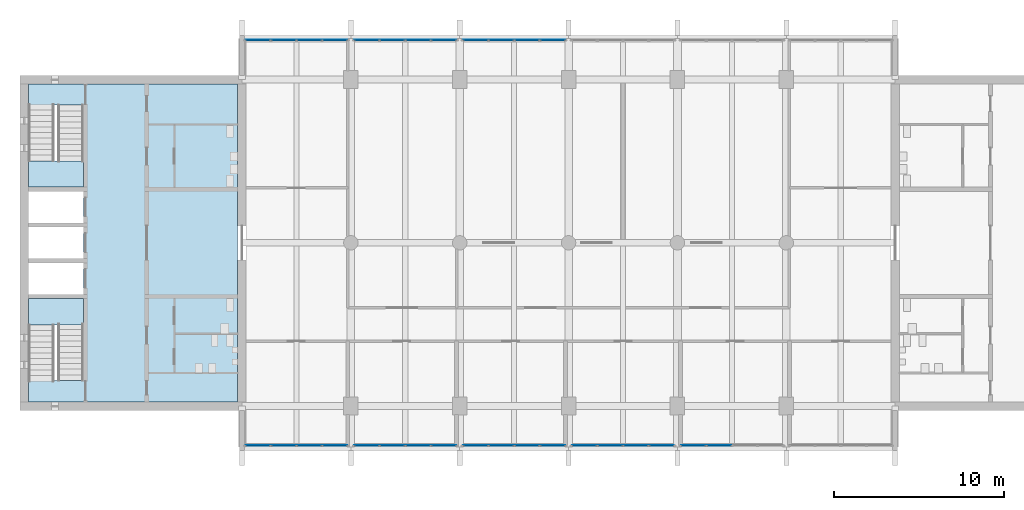
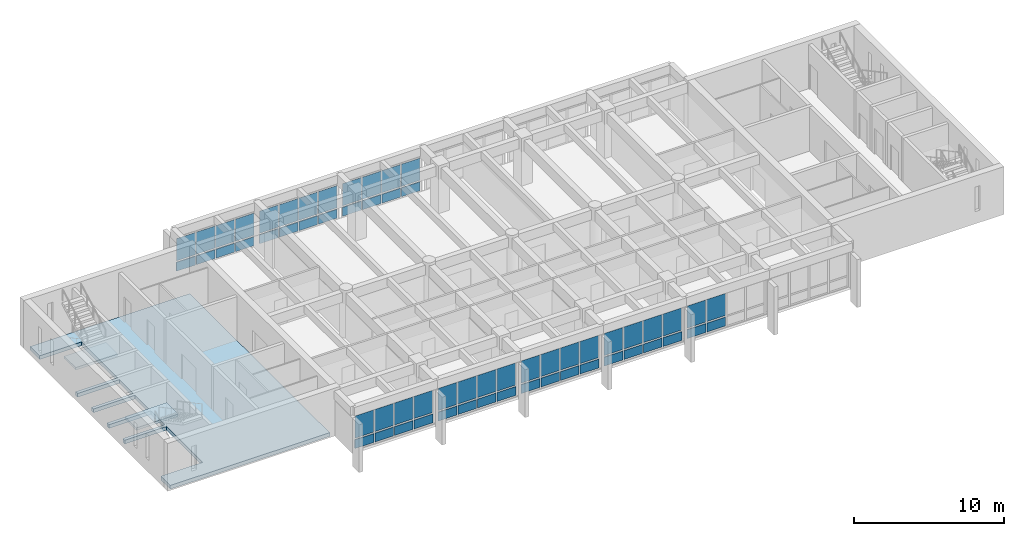
# One storey, part 7 of 15: 60 plates, 3 slabs, 10 elements without a shape of their own.
"""IFC4 building model written with IfcOpenShell, lengths in metres."""

from ifc_helpers import new_model, si_unit, direction, frame, origin, origin_2d, place, context, subcontext, project, spatial, polyline, rectangle, outline, extrude, material, layer, layer_set, type_object, element, aggregate, save


model = new_model("IFC4")

# Units and contexts
model_context = context("Model", 3, precision=1e-05, world=origin(), true_north=direction((0.0, 1.0)))
body_context = subcontext(model_context, "Body", "Model", "MODEL_VIEW")
ifc_project = project(units=[si_unit("LENGTHUNIT", "METRE"), si_unit("AREAUNIT", "SQUARE_METRE"), si_unit("VOLUMEUNIT", "CUBIC_METRE"), si_unit("PLANEANGLEUNIT", "RADIAN"), si_unit("MASSUNIT", "GRAM", prefix="KILO")], contexts=[model_context])

# Site, building, storey
site_placement = place(None, origin())
site = spatial("IfcSite", under=ifc_project, at=site_placement, CompositionType="ELEMENT")
building_placement = place(site_placement, origin())
building = spatial("IfcBuilding", under=site, at=building_placement, Name="Fogon Plaza Fire Station and Headquarters Tower", CompositionType="ELEMENT")
storey_placement = place(building_placement, frame((0.0, 0.0, 56.10009765625)))
storey = spatial("IfcBuildingStorey", under=building, at=storey_placement, Name="L14", CompositionType="ELEMENT", Elevation=56.10009765625)

# Slab
ifc_material_1 = material(Name="Concrete C40", Category="concrete")
ifc_layer_1 = layer(ifc_material_1, 0.300048828125)
ifc_layer_set_1 = layer_set([ifc_layer_1], Name="Concrete C40")
slab_type_1 = type_object("IfcSlabType", Name="Core Floor Slab RC 300", PredefinedType="FLOOR", material=ifc_layer_set_1)
slab_1_placement = place(storey_placement, frame((0.0, 0.0, -0.300048828125)))
element("IfcSlab", 1, at=slab_1_placement, inside=storey, type_object=slab_type_1, Name="Core A floor", PredefinedType="FLOOR", context=body_context, shape_type="SweptSolid", body=[
    extrude(outline(polyline([(13.050048828125, 35.110107421875), (13.050048828125, 33.85009765625), (25.35009765625, 33.85009765625), (25.35009765625, 52.550048828125), (13.050048828125, 52.550048828125), (13.050048828125, 51.2900390625), (16.27490234375, 51.2900390625), (16.27490234375, 46.47509765625), (13.050048828125, 46.47509765625), (13.050048828125, 46.22509765625), (16.27490234375, 46.22509765625), (16.27490234375, 44.375), (13.050048828125, 44.375), (13.050048828125, 44.125), (16.27490234375, 44.125), (16.27490234375, 42.27490234375), (13.050048828125, 42.27490234375), (13.050048828125, 42.02490234375), (16.27490234375, 42.02490234375), (16.27490234375, 40.175048828125), (13.050048828125, 40.175048828125), (13.050048828125, 39.925048828125), (16.27490234375, 39.925048828125), (16.27490234375, 35.110107421875), (13.050048828125, 35.110107421875)])), origin(), (0.0, 0.0, 1.0), 0.300048828125),
])

# Curtain wall, plates
ifc_material_2 = material(Name="Aluminium and glass", Category="aluminium")
ifc_layer_2 = layer(ifc_material_2, 0.14990234375)
ifc_layer_set_2 = layer_set([ifc_layer_2], Name="Aluminium and glass")
curtain_wall_type = type_object("IfcCurtainWallType", Name="Unitised Curtain Wall Run 6100x2880", PredefinedType="NOTDEFINED", material=ifc_layer_set_2)
curtain_wall_1_placement = place(storey_placement, origin())
curtain_wall_1 = element("IfcCurtainWall", 2, at=curtain_wall_1_placement, inside=storey, type_object=curtain_wall_type, Name="CW-6100x2880 S1 L14", PredefinedType="NOTDEFINED")
ifc_material_3 = material(Name="Insulated aluminium spandrel", Category="aluminium")
ifc_layer_3 = layer(ifc_material_3, 0.06005859375)
ifc_layer_set_3 = layer_set([ifc_layer_3], Name="Insulated aluminium spandrel")
plate_type_1 = type_object("IfcPlateType", Name="Insulated Spandrel Panel", PredefinedType="CURTAIN_PANEL", material=ifc_layer_set_3)
plate_1_placement = place(storey_placement, frame((26.534912109375, 31.280029296875, 0.1201171875), z_axis=(0.0, 0.0, 1.0), x_axis=(1.0, 0.0, 0.0)))
plate_1 = element("IfcPlate", 3, at=plate_1_placement, type_object=plate_type_1, Name="SP1 panel 1.1", PredefinedType="CURTAIN_PANEL", context=body_context, shape_type="SweptSolid", body=[
    extrude(rectangle(XDim=1.449951171875, YDim=0.06005859375, at=origin_2d()), origin(), (0.0, 0.0, 1.0), 0.719970703125),
])
plate_2_placement = place(storey_placement, frame((28.044921875, 31.280029296875, 0.1201171875), z_axis=(0.0, 0.0, 1.0), x_axis=(1.0, 0.0, 0.0)))
plate_2 = element("IfcPlate", 4, at=plate_2_placement, type_object=plate_type_1, Name="SP1 panel 2.1", PredefinedType="CURTAIN_PANEL", context=body_context, shape_type="SweptSolid", body=[
    extrude(rectangle(XDim=1.449951171875, YDim=0.06005859375, at=origin_2d()), origin(), (0.0, 0.0, 1.0), 0.719970703125),
])
plate_3_placement = place(storey_placement, frame((29.554931640625, 31.280029296875, 0.1201171875), z_axis=(0.0, 0.0, 1.0), x_axis=(1.0, 0.0, 0.0)))
plate_3 = element("IfcPlate", 5, at=plate_3_placement, type_object=plate_type_1, Name="SP1 panel 3.1", PredefinedType="CURTAIN_PANEL", context=body_context, shape_type="SweptSolid", body=[
    extrude(rectangle(XDim=1.449951171875, YDim=0.06005859375, at=origin_2d()), origin(), (0.0, 0.0, 1.0), 0.719970703125),
])
plate_4_placement = place(storey_placement, frame((31.06494140625, 31.280029296875, 0.1201171875), z_axis=(0.0, 0.0, 1.0), x_axis=(1.0, 0.0, 0.0)))
plate_4 = element("IfcPlate", 6, at=plate_4_placement, type_object=plate_type_1, Name="SP1 panel 4.1", PredefinedType="CURTAIN_PANEL", context=body_context, shape_type="SweptSolid", body=[
    extrude(rectangle(XDim=1.449951171875, YDim=0.06005859375, at=origin_2d()), origin(), (0.0, 0.0, 1.0), 0.719970703125),
])

curtain_wall_2_placement = place(storey_placement, origin())
curtain_wall_2 = element("IfcCurtainWall", 7, at=curtain_wall_2_placement, inside=storey, type_object=curtain_wall_type, Name="CW-6100x2880 S2 L14", PredefinedType="NOTDEFINED")
plate_5_placement = place(storey_placement, frame((32.93505859375, 31.280029296875, 0.1201171875), z_axis=(0.0, 0.0, 1.0), x_axis=(1.0, 0.0, 0.0)))
plate_5 = element("IfcPlate", 8, at=plate_5_placement, type_object=plate_type_1, Name="SP1 panel 1.1", PredefinedType="CURTAIN_PANEL", context=body_context, shape_type="SweptSolid", body=[
    extrude(rectangle(XDim=1.449951171875, YDim=0.06005859375, at=origin_2d()), origin(), (0.0, 0.0, 1.0), 0.719970703125),
])
plate_6_placement = place(storey_placement, frame((34.445068359375, 31.280029296875, 0.1201171875), z_axis=(0.0, 0.0, 1.0), x_axis=(1.0, 0.0, 0.0)))
plate_6 = element("IfcPlate", 9, at=plate_6_placement, type_object=plate_type_1, Name="SP1 panel 2.1", PredefinedType="CURTAIN_PANEL", context=body_context, shape_type="SweptSolid", body=[
    extrude(rectangle(XDim=1.449951171875, YDim=0.06005859375, at=origin_2d()), origin(), (0.0, 0.0, 1.0), 0.719970703125),
])
plate_7_placement = place(storey_placement, frame((35.955078125, 31.280029296875, 0.1201171875), z_axis=(0.0, 0.0, 1.0), x_axis=(1.0, 0.0, 0.0)))
plate_7 = element("IfcPlate", 10, at=plate_7_placement, type_object=plate_type_1, Name="SP1 panel 3.1", PredefinedType="CURTAIN_PANEL", context=body_context, shape_type="SweptSolid", body=[
    extrude(rectangle(XDim=1.449951171875, YDim=0.06005859375, at=origin_2d()), origin(), (0.0, 0.0, 1.0), 0.719970703125),
])
plate_8_placement = place(storey_placement, frame((37.465087890625, 31.280029296875, 0.1201171875), z_axis=(0.0, 0.0, 1.0), x_axis=(1.0, 0.0, 0.0)))
plate_8 = element("IfcPlate", 11, at=plate_8_placement, type_object=plate_type_1, Name="SP1 panel 4.1", PredefinedType="CURTAIN_PANEL", context=body_context, shape_type="SweptSolid", body=[
    extrude(rectangle(XDim=1.449951171875, YDim=0.06005859375, at=origin_2d()), origin(), (0.0, 0.0, 1.0), 0.719970703125),
])

curtain_wall_3_placement = place(storey_placement, origin())
curtain_wall_3 = element("IfcCurtainWall", 12, at=curtain_wall_3_placement, inside=storey, type_object=curtain_wall_type, Name="CW-6100x2880 S3 L14", PredefinedType="NOTDEFINED")
plate_9_placement = place(storey_placement, frame((39.3349609375, 31.280029296875, 0.1201171875), z_axis=(0.0, 0.0, 1.0), x_axis=(1.0, 0.0, 0.0)))
plate_9 = element("IfcPlate", 13, at=plate_9_placement, type_object=plate_type_1, Name="SP1 panel 1.1", PredefinedType="CURTAIN_PANEL", context=body_context, shape_type="SweptSolid", body=[
    extrude(rectangle(XDim=1.449951171875, YDim=0.06005859375, at=origin_2d()), origin(), (0.0, 0.0, 1.0), 0.719970703125),
])
plate_10_placement = place(storey_placement, frame((40.844970703125, 31.280029296875, 0.1201171875), z_axis=(0.0, 0.0, 1.0), x_axis=(1.0, 0.0, 0.0)))
plate_10 = element("IfcPlate", 14, at=plate_10_placement, type_object=plate_type_1, Name="SP1 panel 2.1", PredefinedType="CURTAIN_PANEL", context=body_context, shape_type="SweptSolid", body=[
    extrude(rectangle(XDim=1.449951171875, YDim=0.06005859375, at=origin_2d()), origin(), (0.0, 0.0, 1.0), 0.719970703125),
])
plate_11_placement = place(storey_placement, frame((42.35498046875, 31.280029296875, 0.1201171875), z_axis=(0.0, 0.0, 1.0), x_axis=(1.0, 0.0, 0.0)))
plate_11 = element("IfcPlate", 15, at=plate_11_placement, type_object=plate_type_1, Name="SP1 panel 3.1", PredefinedType="CURTAIN_PANEL", context=body_context, shape_type="SweptSolid", body=[
    extrude(rectangle(XDim=1.449951171875, YDim=0.06005859375, at=origin_2d()), origin(), (0.0, 0.0, 1.0), 0.719970703125),
])
plate_12_placement = place(storey_placement, frame((43.864990234375, 31.280029296875, 0.1201171875), z_axis=(0.0, 0.0, 1.0), x_axis=(1.0, 0.0, 0.0)))
plate_12 = element("IfcPlate", 16, at=plate_12_placement, type_object=plate_type_1, Name="SP1 panel 4.1", PredefinedType="CURTAIN_PANEL", context=body_context, shape_type="SweptSolid", body=[
    extrude(rectangle(XDim=1.449951171875, YDim=0.06005859375, at=origin_2d()), origin(), (0.0, 0.0, 1.0), 0.719970703125),
])

curtain_wall_4_placement = place(storey_placement, origin())
curtain_wall_4 = element("IfcCurtainWall", 17, at=curtain_wall_4_placement, inside=storey, type_object=curtain_wall_type, Name="CW-6100x2880 S4 L14", PredefinedType="NOTDEFINED")
plate_13_placement = place(storey_placement, frame((45.735107421875, 31.280029296875, 0.1201171875), z_axis=(0.0, 0.0, 1.0), x_axis=(1.0, 0.0, 0.0)))
plate_13 = element("IfcPlate", 18, at=plate_13_placement, type_object=plate_type_1, Name="SP1 panel 1.1", PredefinedType="CURTAIN_PANEL", context=body_context, shape_type="SweptSolid", body=[
    extrude(rectangle(XDim=1.449951171875, YDim=0.06005859375, at=origin_2d()), origin(), (0.0, 0.0, 1.0), 0.719970703125),
])
plate_14_placement = place(storey_placement, frame((47.2451171875, 31.280029296875, 0.1201171875), z_axis=(0.0, 0.0, 1.0), x_axis=(1.0, 0.0, 0.0)))
plate_14 = element("IfcPlate", 19, at=plate_14_placement, type_object=plate_type_1, Name="SP1 panel 2.1", PredefinedType="CURTAIN_PANEL", context=body_context, shape_type="SweptSolid", body=[
    extrude(rectangle(XDim=1.449951171875, YDim=0.06005859375, at=origin_2d()), origin(), (0.0, 0.0, 1.0), 0.719970703125),
])
plate_15_placement = place(storey_placement, frame((48.7548828125, 31.280029296875, 0.1201171875), z_axis=(0.0, 0.0, 1.0), x_axis=(1.0, 0.0, 0.0)))
plate_15 = element("IfcPlate", 20, at=plate_15_placement, type_object=plate_type_1, Name="SP1 panel 3.1", PredefinedType="CURTAIN_PANEL", context=body_context, shape_type="SweptSolid", body=[
    extrude(rectangle(XDim=1.449951171875, YDim=0.06005859375, at=origin_2d()), origin(), (0.0, 0.0, 1.0), 0.719970703125),
])
plate_16_placement = place(storey_placement, frame((50.264892578125, 31.280029296875, 0.1201171875), z_axis=(0.0, 0.0, 1.0), x_axis=(1.0, 0.0, 0.0)))
plate_16 = element("IfcPlate", 21, at=plate_16_placement, type_object=plate_type_1, Name="SP1 panel 4.1", PredefinedType="CURTAIN_PANEL", context=body_context, shape_type="SweptSolid", body=[
    extrude(rectangle(XDim=1.449951171875, YDim=0.06005859375, at=origin_2d()), origin(), (0.0, 0.0, 1.0), 0.719970703125),
])

curtain_wall_5_placement = place(storey_placement, origin())
curtain_wall_5 = element("IfcCurtainWall", 22, at=curtain_wall_5_placement, inside=storey, type_object=curtain_wall_type, Name="CW-6100x2880 S5 L14", PredefinedType="NOTDEFINED")
plate_17_placement = place(storey_placement, frame((52.135009765625, 31.280029296875, 0.1201171875), z_axis=(0.0, 0.0, 1.0), x_axis=(1.0, 0.0, 0.0)))
plate_17 = element("IfcPlate", 23, at=plate_17_placement, type_object=plate_type_1, Name="SP1 panel 1.1", PredefinedType="CURTAIN_PANEL", context=body_context, shape_type="SweptSolid", body=[
    extrude(rectangle(XDim=1.449951171875, YDim=0.06005859375, at=origin_2d()), origin(), (0.0, 0.0, 1.0), 0.719970703125),
])
plate_18_placement = place(storey_placement, frame((53.64501953125, 31.280029296875, 0.1201171875), z_axis=(0.0, 0.0, 1.0), x_axis=(1.0, 0.0, 0.0)))
plate_18 = element("IfcPlate", 24, at=plate_18_placement, type_object=plate_type_1, Name="SP1 panel 2.1", PredefinedType="CURTAIN_PANEL", context=body_context, shape_type="SweptSolid", body=[
    extrude(rectangle(XDim=1.449951171875, YDim=0.06005859375, at=origin_2d()), origin(), (0.0, 0.0, 1.0), 0.719970703125),
])

curtain_wall_6_placement = place(storey_placement, origin())
curtain_wall_6 = element("IfcCurtainWall", 25, at=curtain_wall_6_placement, inside=storey, type_object=curtain_wall_type, Name="CW-6100x2880 N1 L14", PredefinedType="NOTDEFINED")
plate_19_placement = place(storey_placement, frame((26.534912109375, 55.1201171875, 0.1201171875), z_axis=(0.0, 0.0, 1.0), x_axis=(1.0, 0.0, 0.0)))
plate_19 = element("IfcPlate", 26, at=plate_19_placement, type_object=plate_type_1, Name="SP1 panel 1.1", PredefinedType="CURTAIN_PANEL", context=body_context, shape_type="SweptSolid", body=[
    extrude(rectangle(XDim=1.449951171875, YDim=0.06005859375, at=origin_2d()), origin(), (0.0, 0.0, 1.0), 0.719970703125),
])
plate_20_placement = place(storey_placement, frame((28.044921875, 55.1201171875, 0.1201171875), z_axis=(0.0, 0.0, 1.0), x_axis=(1.0, 0.0, 0.0)))
plate_20 = element("IfcPlate", 27, at=plate_20_placement, type_object=plate_type_1, Name="SP1 panel 2.1", PredefinedType="CURTAIN_PANEL", context=body_context, shape_type="SweptSolid", body=[
    extrude(rectangle(XDim=1.449951171875, YDim=0.06005859375, at=origin_2d()), origin(), (0.0, 0.0, 1.0), 0.719970703125),
])
plate_21_placement = place(storey_placement, frame((29.554931640625, 55.1201171875, 0.1201171875), z_axis=(0.0, 0.0, 1.0), x_axis=(1.0, 0.0, 0.0)))
plate_21 = element("IfcPlate", 28, at=plate_21_placement, type_object=plate_type_1, Name="SP1 panel 3.1", PredefinedType="CURTAIN_PANEL", context=body_context, shape_type="SweptSolid", body=[
    extrude(rectangle(XDim=1.449951171875, YDim=0.06005859375, at=origin_2d()), origin(), (0.0, 0.0, 1.0), 0.719970703125),
])
plate_22_placement = place(storey_placement, frame((31.06494140625, 55.1201171875, 0.1201171875), z_axis=(0.0, 0.0, 1.0), x_axis=(1.0, 0.0, 0.0)))
plate_22 = element("IfcPlate", 29, at=plate_22_placement, type_object=plate_type_1, Name="SP1 panel 4.1", PredefinedType="CURTAIN_PANEL", context=body_context, shape_type="SweptSolid", body=[
    extrude(rectangle(XDim=1.449951171875, YDim=0.06005859375, at=origin_2d()), origin(), (0.0, 0.0, 1.0), 0.719970703125),
])

curtain_wall_7_placement = place(storey_placement, origin())
curtain_wall_7 = element("IfcCurtainWall", 30, at=curtain_wall_7_placement, inside=storey, type_object=curtain_wall_type, Name="CW-6100x2880 N2 L14", PredefinedType="NOTDEFINED")
plate_23_placement = place(storey_placement, frame((32.93505859375, 55.1201171875, 0.1201171875), z_axis=(0.0, 0.0, 1.0), x_axis=(1.0, 0.0, 0.0)))
plate_23 = element("IfcPlate", 31, at=plate_23_placement, type_object=plate_type_1, Name="SP1 panel 1.1", PredefinedType="CURTAIN_PANEL", context=body_context, shape_type="SweptSolid", body=[
    extrude(rectangle(XDim=1.449951171875, YDim=0.06005859375, at=origin_2d()), origin(), (0.0, 0.0, 1.0), 0.719970703125),
])
plate_24_placement = place(storey_placement, frame((34.445068359375, 55.1201171875, 0.1201171875), z_axis=(0.0, 0.0, 1.0), x_axis=(1.0, 0.0, 0.0)))
plate_24 = element("IfcPlate", 32, at=plate_24_placement, type_object=plate_type_1, Name="SP1 panel 2.1", PredefinedType="CURTAIN_PANEL", context=body_context, shape_type="SweptSolid", body=[
    extrude(rectangle(XDim=1.449951171875, YDim=0.06005859375, at=origin_2d()), origin(), (0.0, 0.0, 1.0), 0.719970703125),
])
plate_25_placement = place(storey_placement, frame((35.955078125, 55.1201171875, 0.1201171875), z_axis=(0.0, 0.0, 1.0), x_axis=(1.0, 0.0, 0.0)))
plate_25 = element("IfcPlate", 33, at=plate_25_placement, type_object=plate_type_1, Name="SP1 panel 3.1", PredefinedType="CURTAIN_PANEL", context=body_context, shape_type="SweptSolid", body=[
    extrude(rectangle(XDim=1.449951171875, YDim=0.06005859375, at=origin_2d()), origin(), (0.0, 0.0, 1.0), 0.719970703125),
])
plate_26_placement = place(storey_placement, frame((37.465087890625, 55.1201171875, 0.1201171875), z_axis=(0.0, 0.0, 1.0), x_axis=(1.0, 0.0, 0.0)))
plate_26 = element("IfcPlate", 34, at=plate_26_placement, type_object=plate_type_1, Name="SP1 panel 4.1", PredefinedType="CURTAIN_PANEL", context=body_context, shape_type="SweptSolid", body=[
    extrude(rectangle(XDim=1.449951171875, YDim=0.06005859375, at=origin_2d()), origin(), (0.0, 0.0, 1.0), 0.719970703125),
])

curtain_wall_8_placement = place(storey_placement, origin())
curtain_wall_8 = element("IfcCurtainWall", 35, at=curtain_wall_8_placement, inside=storey, type_object=curtain_wall_type, Name="CW-6100x2880 N3 L14", PredefinedType="NOTDEFINED")
plate_27_placement = place(storey_placement, frame((39.3349609375, 55.1201171875, 0.1201171875), z_axis=(0.0, 0.0, 1.0), x_axis=(1.0, 0.0, 0.0)))
plate_27 = element("IfcPlate", 36, at=plate_27_placement, type_object=plate_type_1, Name="SP1 panel 1.1", PredefinedType="CURTAIN_PANEL", context=body_context, shape_type="SweptSolid", body=[
    extrude(rectangle(XDim=1.449951171875, YDim=0.06005859375, at=origin_2d()), origin(), (0.0, 0.0, 1.0), 0.719970703125),
])
plate_28_placement = place(storey_placement, frame((40.844970703125, 55.1201171875, 0.1201171875), z_axis=(0.0, 0.0, 1.0), x_axis=(1.0, 0.0, 0.0)))
plate_28 = element("IfcPlate", 37, at=plate_28_placement, type_object=plate_type_1, Name="SP1 panel 2.1", PredefinedType="CURTAIN_PANEL", context=body_context, shape_type="SweptSolid", body=[
    extrude(rectangle(XDim=1.449951171875, YDim=0.06005859375, at=origin_2d()), origin(), (0.0, 0.0, 1.0), 0.719970703125),
])
plate_29_placement = place(storey_placement, frame((42.35498046875, 55.1201171875, 0.1201171875), z_axis=(0.0, 0.0, 1.0), x_axis=(1.0, 0.0, 0.0)))
plate_29 = element("IfcPlate", 38, at=plate_29_placement, type_object=plate_type_1, Name="SP1 panel 3.1", PredefinedType="CURTAIN_PANEL", context=body_context, shape_type="SweptSolid", body=[
    extrude(rectangle(XDim=1.449951171875, YDim=0.06005859375, at=origin_2d()), origin(), (0.0, 0.0, 1.0), 0.719970703125),
])
plate_30_placement = place(storey_placement, frame((43.864990234375, 55.1201171875, 0.1201171875), z_axis=(0.0, 0.0, 1.0), x_axis=(1.0, 0.0, 0.0)))
plate_30 = element("IfcPlate", 39, at=plate_30_placement, type_object=plate_type_1, Name="SP1 panel 4.1", PredefinedType="CURTAIN_PANEL", context=body_context, shape_type="SweptSolid", body=[
    extrude(rectangle(XDim=1.449951171875, YDim=0.06005859375, at=origin_2d()), origin(), (0.0, 0.0, 1.0), 0.719970703125),
])

# Stair, slab
ifc_material_4 = material(Name="Concrete C40", Category="concrete")
stair_type = type_object("IfcStairType", Name="Exit Stair Two Flights", PredefinedType="TWO_STRAIGHT_RUN_STAIR", material=ifc_material_4)
stair_1_placement = place(storey_placement, origin())
stair_1 = element("IfcStair", 40, at=stair_1_placement, inside=storey, type_object=stair_type, Name="Stair ST1", PredefinedType="TWO_STRAIGHT_RUN_STAIR")
ifc_material_5 = material(Name="Concrete C40", Category="concrete")
ifc_layer_4 = layer(ifc_material_5, 0.300048828125)
ifc_layer_set_4 = layer_set([ifc_layer_4], Name="Concrete C40")
slab_type_2 = type_object("IfcSlabType", Name="Stair Landing RC 300", PredefinedType="LANDING", material=ifc_layer_set_4)
slab_2_placement = place(storey_placement, frame((0.0, 0.0, 1.75)))
slab_2 = element("IfcSlab", 41, at=slab_2_placement, type_object=slab_type_2, Name="ST1 landing L16", PredefinedType="LANDING", context=body_context, shape_type="SweptSolid", body=[
    extrude(outline(polyline([(16.27490234375, 38.375), (16.27490234375, 39.925048828125), (13.050048828125, 39.925048828125), (13.050048828125, 38.375), (16.27490234375, 38.375)])), origin(), (0.0, 0.0, 1.0), 0.199951171875),
])
aggregate(stair_1, [slab_2])

stair_2_placement = place(storey_placement, origin())
stair_2 = element("IfcStair", 42, at=stair_2_placement, inside=storey, type_object=stair_type, Name="Stair ST2", PredefinedType="TWO_STRAIGHT_RUN_STAIR")
slab_3_placement = place(storey_placement, frame((0.0, 0.0, 1.75)))
slab_3 = element("IfcSlab", 43, at=slab_3_placement, type_object=slab_type_2, Name="ST2 landing L16", PredefinedType="LANDING", context=body_context, shape_type="SweptSolid", body=[
    extrude(outline(polyline([(16.27490234375, 46.47509765625), (16.27490234375, 48.02490234375), (13.050048828125, 48.02490234375), (13.050048828125, 46.47509765625), (16.27490234375, 46.47509765625)])), origin(), (0.0, 0.0, 1.0), 0.199951171875),
])
aggregate(stair_2, [slab_3])

# Plate
ifc_material_6 = material(Name="Low-e double glazing", Category="glass")
ifc_layer_5 = layer(ifc_material_6, 0.028076171875)
ifc_layer_set_5 = layer_set([ifc_layer_5], Name="Low-e double glazing")
plate_type_2 = type_object("IfcPlateType", Name="Vision Glass Panel 1450x1800", PredefinedType="CURTAIN_PANEL", material=ifc_layer_set_5)
plate_31_placement = place(storey_placement, frame((26.534912109375, 31.280029296875, 0.9599609375), z_axis=(0.0, 0.0, 1.0), x_axis=(1.0, 0.0, 0.0)))
plate_31 = element("IfcPlate", 44, at=plate_31_placement, type_object=plate_type_2, Name="VG-1450x1800 panel 1.2", PredefinedType="CURTAIN_PANEL", context=body_context, shape_type="SweptSolid", body=[
    extrude(rectangle(XDim=1.449951171875, YDim=0.028076171875, at=origin_2d()), origin(), (0.0, 0.0, 1.0), 1.800048828125),
])

plate_32_placement = place(storey_placement, frame((28.044921875, 31.280029296875, 0.9599609375), z_axis=(0.0, 0.0, 1.0), x_axis=(1.0, 0.0, 0.0)))
plate_32 = element("IfcPlate", 45, at=plate_32_placement, type_object=plate_type_2, Name="VG-1450x1800 panel 2.2", PredefinedType="CURTAIN_PANEL", context=body_context, shape_type="SweptSolid", body=[
    extrude(rectangle(XDim=1.449951171875, YDim=0.028076171875, at=origin_2d()), origin(), (0.0, 0.0, 1.0), 1.800048828125),
])

plate_33_placement = place(storey_placement, frame((29.554931640625, 31.280029296875, 0.9599609375), z_axis=(0.0, 0.0, 1.0), x_axis=(1.0, 0.0, 0.0)))
plate_33 = element("IfcPlate", 46, at=plate_33_placement, type_object=plate_type_2, Name="VG-1450x1800 panel 3.2", PredefinedType="CURTAIN_PANEL", context=body_context, shape_type="SweptSolid", body=[
    extrude(rectangle(XDim=1.449951171875, YDim=0.028076171875, at=origin_2d()), origin(), (0.0, 0.0, 1.0), 1.800048828125),
])

plate_34_placement = place(storey_placement, frame((31.06494140625, 31.280029296875, 0.9599609375), z_axis=(0.0, 0.0, 1.0), x_axis=(1.0, 0.0, 0.0)))
plate_34 = element("IfcPlate", 47, at=plate_34_placement, type_object=plate_type_2, Name="VG-1450x1800 panel 4.2", PredefinedType="CURTAIN_PANEL", context=body_context, shape_type="SweptSolid", body=[
    extrude(rectangle(XDim=1.449951171875, YDim=0.028076171875, at=origin_2d()), origin(), (0.0, 0.0, 1.0), 1.800048828125),
])

aggregate(curtain_wall_1, [plate_1, plate_31, plate_2, plate_32, plate_3, plate_33, plate_4, plate_34])

plate_35_placement = place(storey_placement, frame((32.93505859375, 31.280029296875, 0.9599609375), z_axis=(0.0, 0.0, 1.0), x_axis=(1.0, 0.0, 0.0)))
plate_35 = element("IfcPlate", 48, at=plate_35_placement, type_object=plate_type_2, Name="VG-1450x1800 panel 1.2", PredefinedType="CURTAIN_PANEL", context=body_context, shape_type="SweptSolid", body=[
    extrude(rectangle(XDim=1.449951171875, YDim=0.028076171875, at=origin_2d()), origin(), (0.0, 0.0, 1.0), 1.800048828125),
])

plate_36_placement = place(storey_placement, frame((34.445068359375, 31.280029296875, 0.9599609375), z_axis=(0.0, 0.0, 1.0), x_axis=(1.0, 0.0, 0.0)))
plate_36 = element("IfcPlate", 49, at=plate_36_placement, type_object=plate_type_2, Name="VG-1450x1800 panel 2.2", PredefinedType="CURTAIN_PANEL", context=body_context, shape_type="SweptSolid", body=[
    extrude(rectangle(XDim=1.449951171875, YDim=0.028076171875, at=origin_2d()), origin(), (0.0, 0.0, 1.0), 1.800048828125),
])

plate_37_placement = place(storey_placement, frame((35.955078125, 31.280029296875, 0.9599609375), z_axis=(0.0, 0.0, 1.0), x_axis=(1.0, 0.0, 0.0)))
plate_37 = element("IfcPlate", 50, at=plate_37_placement, type_object=plate_type_2, Name="VG-1450x1800 panel 3.2", PredefinedType="CURTAIN_PANEL", context=body_context, shape_type="SweptSolid", body=[
    extrude(rectangle(XDim=1.449951171875, YDim=0.028076171875, at=origin_2d()), origin(), (0.0, 0.0, 1.0), 1.800048828125),
])

plate_38_placement = place(storey_placement, frame((37.465087890625, 31.280029296875, 0.9599609375), z_axis=(0.0, 0.0, 1.0), x_axis=(1.0, 0.0, 0.0)))
plate_38 = element("IfcPlate", 51, at=plate_38_placement, type_object=plate_type_2, Name="VG-1450x1800 panel 4.2", PredefinedType="CURTAIN_PANEL", context=body_context, shape_type="SweptSolid", body=[
    extrude(rectangle(XDim=1.449951171875, YDim=0.028076171875, at=origin_2d()), origin(), (0.0, 0.0, 1.0), 1.800048828125),
])

aggregate(curtain_wall_2, [plate_5, plate_35, plate_6, plate_36, plate_7, plate_37, plate_8, plate_38])

plate_39_placement = place(storey_placement, frame((39.3349609375, 31.280029296875, 0.9599609375), z_axis=(0.0, 0.0, 1.0), x_axis=(1.0, 0.0, 0.0)))
plate_39 = element("IfcPlate", 52, at=plate_39_placement, type_object=plate_type_2, Name="VG-1450x1800 panel 1.2", PredefinedType="CURTAIN_PANEL", context=body_context, shape_type="SweptSolid", body=[
    extrude(rectangle(XDim=1.449951171875, YDim=0.028076171875, at=origin_2d()), origin(), (0.0, 0.0, 1.0), 1.800048828125),
])

plate_40_placement = place(storey_placement, frame((40.844970703125, 31.280029296875, 0.9599609375), z_axis=(0.0, 0.0, 1.0), x_axis=(1.0, 0.0, 0.0)))
plate_40 = element("IfcPlate", 53, at=plate_40_placement, type_object=plate_type_2, Name="VG-1450x1800 panel 2.2", PredefinedType="CURTAIN_PANEL", context=body_context, shape_type="SweptSolid", body=[
    extrude(rectangle(XDim=1.449951171875, YDim=0.028076171875, at=origin_2d()), origin(), (0.0, 0.0, 1.0), 1.800048828125),
])

plate_41_placement = place(storey_placement, frame((42.35498046875, 31.280029296875, 0.9599609375), z_axis=(0.0, 0.0, 1.0), x_axis=(1.0, 0.0, 0.0)))
plate_41 = element("IfcPlate", 54, at=plate_41_placement, type_object=plate_type_2, Name="VG-1450x1800 panel 3.2", PredefinedType="CURTAIN_PANEL", context=body_context, shape_type="SweptSolid", body=[
    extrude(rectangle(XDim=1.449951171875, YDim=0.028076171875, at=origin_2d()), origin(), (0.0, 0.0, 1.0), 1.800048828125),
])

plate_42_placement = place(storey_placement, frame((43.864990234375, 31.280029296875, 0.9599609375), z_axis=(0.0, 0.0, 1.0), x_axis=(1.0, 0.0, 0.0)))
plate_42 = element("IfcPlate", 55, at=plate_42_placement, type_object=plate_type_2, Name="VG-1450x1800 panel 4.2", PredefinedType="CURTAIN_PANEL", context=body_context, shape_type="SweptSolid", body=[
    extrude(rectangle(XDim=1.449951171875, YDim=0.028076171875, at=origin_2d()), origin(), (0.0, 0.0, 1.0), 1.800048828125),
])

aggregate(curtain_wall_3, [plate_9, plate_39, plate_10, plate_40, plate_11, plate_41, plate_12, plate_42])

plate_43_placement = place(storey_placement, frame((45.735107421875, 31.280029296875, 0.9599609375), z_axis=(0.0, 0.0, 1.0), x_axis=(1.0, 0.0, 0.0)))
plate_43 = element("IfcPlate", 56, at=plate_43_placement, type_object=plate_type_2, Name="VG-1450x1800 panel 1.2", PredefinedType="CURTAIN_PANEL", context=body_context, shape_type="SweptSolid", body=[
    extrude(rectangle(XDim=1.449951171875, YDim=0.028076171875, at=origin_2d()), origin(), (0.0, 0.0, 1.0), 1.800048828125),
])

plate_44_placement = place(storey_placement, frame((47.2451171875, 31.280029296875, 0.9599609375), z_axis=(0.0, 0.0, 1.0), x_axis=(1.0, 0.0, 0.0)))
plate_44 = element("IfcPlate", 57, at=plate_44_placement, type_object=plate_type_2, Name="VG-1450x1800 panel 2.2", PredefinedType="CURTAIN_PANEL", context=body_context, shape_type="SweptSolid", body=[
    extrude(rectangle(XDim=1.449951171875, YDim=0.028076171875, at=origin_2d()), origin(), (0.0, 0.0, 1.0), 1.800048828125),
])

plate_45_placement = place(storey_placement, frame((48.7548828125, 31.280029296875, 0.9599609375), z_axis=(0.0, 0.0, 1.0), x_axis=(1.0, 0.0, 0.0)))
plate_45 = element("IfcPlate", 58, at=plate_45_placement, type_object=plate_type_2, Name="VG-1450x1800 panel 3.2", PredefinedType="CURTAIN_PANEL", context=body_context, shape_type="SweptSolid", body=[
    extrude(rectangle(XDim=1.449951171875, YDim=0.028076171875, at=origin_2d()), origin(), (0.0, 0.0, 1.0), 1.800048828125),
])

plate_46_placement = place(storey_placement, frame((50.264892578125, 31.280029296875, 0.9599609375), z_axis=(0.0, 0.0, 1.0), x_axis=(1.0, 0.0, 0.0)))
plate_46 = element("IfcPlate", 59, at=plate_46_placement, type_object=plate_type_2, Name="VG-1450x1800 panel 4.2", PredefinedType="CURTAIN_PANEL", context=body_context, shape_type="SweptSolid", body=[
    extrude(rectangle(XDim=1.449951171875, YDim=0.028076171875, at=origin_2d()), origin(), (0.0, 0.0, 1.0), 1.800048828125),
])

aggregate(curtain_wall_4, [plate_13, plate_43, plate_14, plate_44, plate_15, plate_45, plate_16, plate_46])

plate_47_placement = place(storey_placement, frame((52.135009765625, 31.280029296875, 0.9599609375), z_axis=(0.0, 0.0, 1.0), x_axis=(1.0, 0.0, 0.0)))
plate_47 = element("IfcPlate", 60, at=plate_47_placement, type_object=plate_type_2, Name="VG-1450x1800 panel 1.2", PredefinedType="CURTAIN_PANEL", context=body_context, shape_type="SweptSolid", body=[
    extrude(rectangle(XDim=1.449951171875, YDim=0.028076171875, at=origin_2d()), origin(), (0.0, 0.0, 1.0), 1.800048828125),
])

plate_48_placement = place(storey_placement, frame((53.64501953125, 31.280029296875, 0.9599609375), z_axis=(0.0, 0.0, 1.0), x_axis=(1.0, 0.0, 0.0)))
plate_48 = element("IfcPlate", 61, at=plate_48_placement, type_object=plate_type_2, Name="VG-1450x1800 panel 2.2", PredefinedType="CURTAIN_PANEL", context=body_context, shape_type="SweptSolid", body=[
    extrude(rectangle(XDim=1.449951171875, YDim=0.028076171875, at=origin_2d()), origin(), (0.0, 0.0, 1.0), 1.800048828125),
])

aggregate(curtain_wall_5, [plate_17, plate_47, plate_18, plate_48])

plate_49_placement = place(storey_placement, frame((26.534912109375, 55.1201171875, 0.9599609375), z_axis=(0.0, 0.0, 1.0), x_axis=(1.0, 0.0, 0.0)))
plate_49 = element("IfcPlate", 62, at=plate_49_placement, type_object=plate_type_2, Name="VG-1450x1800 panel 1.2", PredefinedType="CURTAIN_PANEL", context=body_context, shape_type="SweptSolid", body=[
    extrude(rectangle(XDim=1.449951171875, YDim=0.028076171875, at=origin_2d()), origin(), (0.0, 0.0, 1.0), 1.800048828125),
])

plate_50_placement = place(storey_placement, frame((28.044921875, 55.1201171875, 0.9599609375), z_axis=(0.0, 0.0, 1.0), x_axis=(1.0, 0.0, 0.0)))
plate_50 = element("IfcPlate", 63, at=plate_50_placement, type_object=plate_type_2, Name="VG-1450x1800 panel 2.2", PredefinedType="CURTAIN_PANEL", context=body_context, shape_type="SweptSolid", body=[
    extrude(rectangle(XDim=1.449951171875, YDim=0.028076171875, at=origin_2d()), origin(), (0.0, 0.0, 1.0), 1.800048828125),
])

plate_51_placement = place(storey_placement, frame((29.554931640625, 55.1201171875, 0.9599609375), z_axis=(0.0, 0.0, 1.0), x_axis=(1.0, 0.0, 0.0)))
plate_51 = element("IfcPlate", 64, at=plate_51_placement, type_object=plate_type_2, Name="VG-1450x1800 panel 3.2", PredefinedType="CURTAIN_PANEL", context=body_context, shape_type="SweptSolid", body=[
    extrude(rectangle(XDim=1.449951171875, YDim=0.028076171875, at=origin_2d()), origin(), (0.0, 0.0, 1.0), 1.800048828125),
])

plate_52_placement = place(storey_placement, frame((31.06494140625, 55.1201171875, 0.9599609375), z_axis=(0.0, 0.0, 1.0), x_axis=(1.0, 0.0, 0.0)))
plate_52 = element("IfcPlate", 65, at=plate_52_placement, type_object=plate_type_2, Name="VG-1450x1800 panel 4.2", PredefinedType="CURTAIN_PANEL", context=body_context, shape_type="SweptSolid", body=[
    extrude(rectangle(XDim=1.449951171875, YDim=0.028076171875, at=origin_2d()), origin(), (0.0, 0.0, 1.0), 1.800048828125),
])

aggregate(curtain_wall_6, [plate_19, plate_49, plate_20, plate_50, plate_21, plate_51, plate_22, plate_52])

plate_53_placement = place(storey_placement, frame((32.93505859375, 55.1201171875, 0.9599609375), z_axis=(0.0, 0.0, 1.0), x_axis=(1.0, 0.0, 0.0)))
plate_53 = element("IfcPlate", 66, at=plate_53_placement, type_object=plate_type_2, Name="VG-1450x1800 panel 1.2", PredefinedType="CURTAIN_PANEL", context=body_context, shape_type="SweptSolid", body=[
    extrude(rectangle(XDim=1.449951171875, YDim=0.028076171875, at=origin_2d()), origin(), (0.0, 0.0, 1.0), 1.800048828125),
])

plate_54_placement = place(storey_placement, frame((34.445068359375, 55.1201171875, 0.9599609375), z_axis=(0.0, 0.0, 1.0), x_axis=(1.0, 0.0, 0.0)))
plate_54 = element("IfcPlate", 67, at=plate_54_placement, type_object=plate_type_2, Name="VG-1450x1800 panel 2.2", PredefinedType="CURTAIN_PANEL", context=body_context, shape_type="SweptSolid", body=[
    extrude(rectangle(XDim=1.449951171875, YDim=0.028076171875, at=origin_2d()), origin(), (0.0, 0.0, 1.0), 1.800048828125),
])

plate_55_placement = place(storey_placement, frame((35.955078125, 55.1201171875, 0.9599609375), z_axis=(0.0, 0.0, 1.0), x_axis=(1.0, 0.0, 0.0)))
plate_55 = element("IfcPlate", 68, at=plate_55_placement, type_object=plate_type_2, Name="VG-1450x1800 panel 3.2", PredefinedType="CURTAIN_PANEL", context=body_context, shape_type="SweptSolid", body=[
    extrude(rectangle(XDim=1.449951171875, YDim=0.028076171875, at=origin_2d()), origin(), (0.0, 0.0, 1.0), 1.800048828125),
])

plate_56_placement = place(storey_placement, frame((37.465087890625, 55.1201171875, 0.9599609375), z_axis=(0.0, 0.0, 1.0), x_axis=(1.0, 0.0, 0.0)))
plate_56 = element("IfcPlate", 69, at=plate_56_placement, type_object=plate_type_2, Name="VG-1450x1800 panel 4.2", PredefinedType="CURTAIN_PANEL", context=body_context, shape_type="SweptSolid", body=[
    extrude(rectangle(XDim=1.449951171875, YDim=0.028076171875, at=origin_2d()), origin(), (0.0, 0.0, 1.0), 1.800048828125),
])

aggregate(curtain_wall_7, [plate_23, plate_53, plate_24, plate_54, plate_25, plate_55, plate_26, plate_56])

plate_57_placement = place(storey_placement, frame((39.3349609375, 55.1201171875, 0.9599609375), z_axis=(0.0, 0.0, 1.0), x_axis=(1.0, 0.0, 0.0)))
plate_57 = element("IfcPlate", 70, at=plate_57_placement, type_object=plate_type_2, Name="VG-1450x1800 panel 1.2", PredefinedType="CURTAIN_PANEL", context=body_context, shape_type="SweptSolid", body=[
    extrude(rectangle(XDim=1.449951171875, YDim=0.028076171875, at=origin_2d()), origin(), (0.0, 0.0, 1.0), 1.800048828125),
])

plate_58_placement = place(storey_placement, frame((40.844970703125, 55.1201171875, 0.9599609375), z_axis=(0.0, 0.0, 1.0), x_axis=(1.0, 0.0, 0.0)))
plate_58 = element("IfcPlate", 71, at=plate_58_placement, type_object=plate_type_2, Name="VG-1450x1800 panel 2.2", PredefinedType="CURTAIN_PANEL", context=body_context, shape_type="SweptSolid", body=[
    extrude(rectangle(XDim=1.449951171875, YDim=0.028076171875, at=origin_2d()), origin(), (0.0, 0.0, 1.0), 1.800048828125),
])

plate_59_placement = place(storey_placement, frame((42.35498046875, 55.1201171875, 0.9599609375), z_axis=(0.0, 0.0, 1.0), x_axis=(1.0, 0.0, 0.0)))
plate_59 = element("IfcPlate", 72, at=plate_59_placement, type_object=plate_type_2, Name="VG-1450x1800 panel 3.2", PredefinedType="CURTAIN_PANEL", context=body_context, shape_type="SweptSolid", body=[
    extrude(rectangle(XDim=1.449951171875, YDim=0.028076171875, at=origin_2d()), origin(), (0.0, 0.0, 1.0), 1.800048828125),
])

plate_60_placement = place(storey_placement, frame((43.864990234375, 55.1201171875, 0.9599609375), z_axis=(0.0, 0.0, 1.0), x_axis=(1.0, 0.0, 0.0)))
plate_60 = element("IfcPlate", 73, at=plate_60_placement, type_object=plate_type_2, Name="VG-1450x1800 panel 4.2", PredefinedType="CURTAIN_PANEL", context=body_context, shape_type="SweptSolid", body=[
    extrude(rectangle(XDim=1.449951171875, YDim=0.028076171875, at=origin_2d()), origin(), (0.0, 0.0, 1.0), 1.800048828125),
])

aggregate(curtain_wall_8, [plate_27, plate_57, plate_28, plate_58, plate_29, plate_59, plate_30, plate_60])

save(model, "model.ifc")
